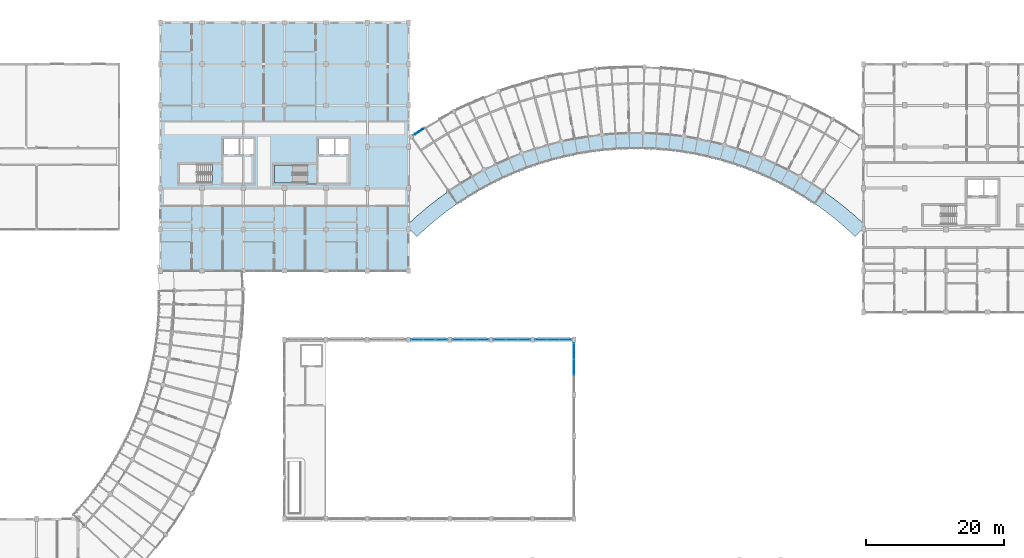
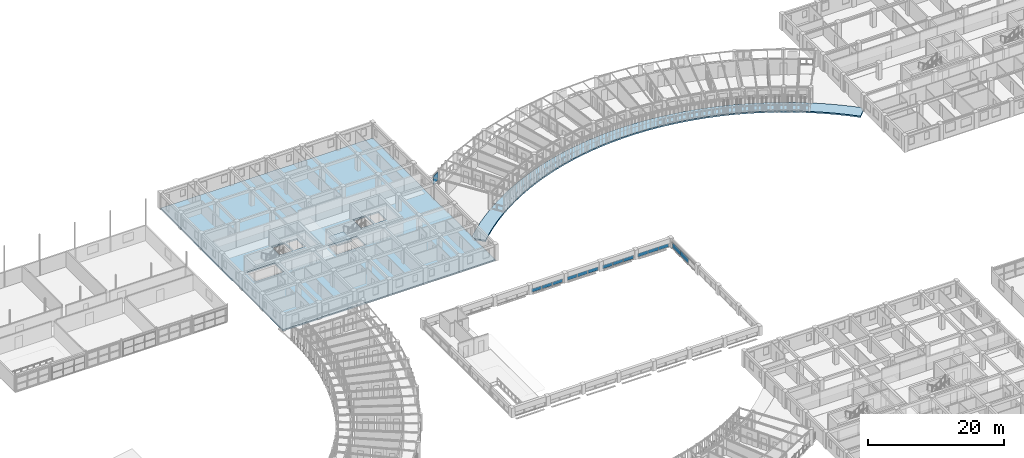
# One storey, part 80 of 137: 15 plates, 3 slabs, 6 elements without a shape of their own.
"""IFC4 building model written with IfcOpenShell, lengths in metres."""

from ifc_helpers import new_model, si_unit, direction, frame, origin, origin_2d, place, context, subcontext, project, spatial, polyline, rectangle, outline, extrude, material, layer, layer_set, type_object, element, aggregate, save


model = new_model("IFC4")

# Units and contexts
model_context = context("Model", 3, precision=1e-05, world=origin(), true_north=direction((0.0, 1.0)))
body_context = subcontext(model_context, "Body", "Model", "MODEL_VIEW")
ifc_project = project(units=[si_unit("LENGTHUNIT", "METRE"), si_unit("AREAUNIT", "SQUARE_METRE"), si_unit("VOLUMEUNIT", "CUBIC_METRE"), si_unit("PLANEANGLEUNIT", "RADIAN"), si_unit("MASSUNIT", "GRAM", prefix="KILO"), si_unit("POWERUNIT", "WATT"), si_unit("THERMODYNAMICTEMPERATUREUNIT", "KELVIN")], contexts=[model_context])

# Site, building, storey
site_placement = place(None, origin())
site = spatial("IfcSite", under=ifc_project, at=site_placement, CompositionType="ELEMENT")
building_placement = place(site_placement, origin())
building = spatial("IfcBuilding", under=site, at=building_placement, Name="Ruvembo Vaulted Housing Court", CompositionType="ELEMENT")
storey_placement = place(building_placement, frame((0.0, 0.0, 4.5)))
storey = spatial("IfcBuildingStorey", under=building, at=storey_placement, Name="L01", CompositionType="ELEMENT", Elevation=4.5)

# Curtain wall, plates
ifc_material_1 = material(Name="Anodised Aluminium and Solar-Control Glass", Category="aluminium")
ifc_layer_1 = layer(ifc_material_1, 0.139892578125, Name="Anodised Aluminium and Solar-Control Glass")
ifc_layer_set_1 = layer_set([ifc_layer_1], Name="Anodised Aluminium and Solar-Control Glass")
curtain_wall_type_1 = type_object("IfcCurtainWallType", Name="CW-HALL-CLER", PredefinedType="NOTDEFINED", material=ifc_layer_set_1)
curtain_wall_1_placement = place(storey_placement, origin())
curtain_wall_1 = element("IfcCurtainWall", 1, at=curtain_wall_1_placement, inside=storey, type_object=curtain_wall_type_1, Name="L01 Curtain Wall CW-L01-0102", PredefinedType="NOTDEFINED")
ifc_material_2 = material(Name="Solar-Control Laminated Insulating Glass", Category="glass")
ifc_layer_2 = layer(ifc_material_2, 0.035888671875, Name="Solar-Control Laminated Insulating Glass")
ifc_layer_set_2 = layer_set([ifc_layer_2], Name="Solar-Control Laminated Insulating Glass")
plate_type_1 = type_object("IfcPlateType", Name="CW-PANEL-ACOUST", PredefinedType="CURTAIN_PANEL", material=ifc_layer_set_2)
plate_1_placement = place(storey_placement, frame((85.23291015625, 68.0, 0.06005859375), z_axis=(0.0, 0.0, 1.0), x_axis=(1.0, 0.0, 0.0)))
plate_1 = element("IfcPlate", 2, at=plate_1_placement, type_object=plate_type_1, Name="CW7 panel 1.1", PredefinedType="CURTAIN_PANEL", context=body_context, shape_type="SweptSolid", body=[
    extrude(rectangle(XDim=1.685791015625, YDim=0.035888671875, at=origin_2d()), origin(), (0.0, 0.0, 1.0), 0.6298828125),
])
plate_2_placement = place(storey_placement, frame((87.0, 68.0, 0.06005859375), z_axis=(0.0, 0.0, 1.0), x_axis=(1.0, 0.0, 0.0)))
plate_2 = element("IfcPlate", 3, at=plate_2_placement, type_object=plate_type_1, Name="CW7 panel 2.1", PredefinedType="CURTAIN_PANEL", context=body_context, shape_type="SweptSolid", body=[
    extrude(rectangle(XDim=1.71826171875, YDim=0.035888671875, at=origin_2d()), origin(), (0.0, 0.0, 1.0), 0.6298828125),
])
plate_3_placement = place(storey_placement, frame((88.76708984375, 68.0, 0.06005859375), z_axis=(0.0, 0.0, 1.0), x_axis=(1.0, 0.0, 0.0)))
plate_3 = element("IfcPlate", 4, at=plate_3_placement, type_object=plate_type_1, Name="CW7 panel 3.1", PredefinedType="CURTAIN_PANEL", context=body_context, shape_type="SweptSolid", body=[
    extrude(rectangle(XDim=1.685791015625, YDim=0.035888671875, at=origin_2d()), origin(), (0.0, 0.0, 1.0), 0.6298828125),
])
aggregate(curtain_wall_1, [plate_1, plate_2, plate_3])

curtain_wall_2_placement = place(storey_placement, origin())
curtain_wall_2 = element("IfcCurtainWall", 5, at=curtain_wall_2_placement, inside=storey, type_object=curtain_wall_type_1, Name="L01 Curtain Wall CW-L01-0108", PredefinedType="NOTDEFINED")
plate_4_placement = place(storey_placement, frame((97.231689453125, 68.0, 0.06005859375), z_axis=(0.0, 0.0, 1.0), x_axis=(1.0, 0.0, 0.0)))
plate_4 = element("IfcPlate", 6, at=plate_4_placement, type_object=plate_type_1, Name="CW7 panel 1.1", PredefinedType="CURTAIN_PANEL", context=body_context, shape_type="SweptSolid", body=[
    extrude(rectangle(XDim=1.693359375, YDim=0.035888671875, at=origin_2d()), origin(), (0.0, 0.0, 1.0), 0.6298828125),
])
plate_5_placement = place(storey_placement, frame((99.0, 68.0, 0.06005859375), z_axis=(0.0, 0.0, 1.0), x_axis=(1.0, 0.0, 0.0)))
plate_5 = element("IfcPlate", 7, at=plate_5_placement, type_object=plate_type_1, Name="CW7 panel 2.1", PredefinedType="CURTAIN_PANEL", context=body_context, shape_type="SweptSolid", body=[
    extrude(rectangle(XDim=1.723388671875, YDim=0.035888671875, at=origin_2d()), origin(), (0.0, 0.0, 1.0), 0.6298828125),
])
plate_6_placement = place(storey_placement, frame((100.768310546875, 68.0, 0.06005859375), z_axis=(0.0, 0.0, 1.0), x_axis=(1.0, 0.0, 0.0)))
plate_6 = element("IfcPlate", 8, at=plate_6_placement, type_object=plate_type_1, Name="CW7 panel 3.1", PredefinedType="CURTAIN_PANEL", context=body_context, shape_type="SweptSolid", body=[
    extrude(rectangle(XDim=1.693359375, YDim=0.035888671875, at=origin_2d()), origin(), (0.0, 0.0, 1.0), 0.6298828125),
])
aggregate(curtain_wall_2, [plate_4, plate_5, plate_6])

ifc_layer_3 = layer(ifc_material_1, 0.179931640625, Name="Anodised Aluminium and Solar-Control Glass")
ifc_layer_set_3 = layer_set([ifc_layer_3], Name="Anodised Aluminium and Solar-Control Glass")
curtain_wall_type_2 = type_object("IfcCurtainWallType", Name="CW-HALL-TYMP", PredefinedType="NOTDEFINED", material=ifc_layer_set_3)
curtain_wall_3_placement = place(storey_placement, origin())
curtain_wall_3 = element("IfcCurtainWall", 9, at=curtain_wall_3_placement, inside=storey, type_object=curtain_wall_type_2, Name="L01 Curtain Wall CW-L01-0128", PredefinedType="NOTDEFINED")
ifc_layer_4 = layer(ifc_material_2, 0.028076171875, Name="Solar-Control Laminated Insulating Glass")
ifc_layer_set_4 = layer_set([ifc_layer_4], Name="Solar-Control Laminated Insulating Glass")
plate_type_2 = type_object("IfcPlateType", Name="CW-PANEL-GLAZED", PredefinedType="CURTAIN_PANEL", material=ifc_layer_set_4)
plate_7_placement = place(storey_placement, frame((108.0, 64.0, 0.06005859375), z_axis=(0.0, 0.0, 1.0), x_axis=(0.0, 1.0, 0.0)))
plate_7 = element("IfcPlate", 10, at=plate_7_placement, type_object=plate_type_2, Name="CW2 panel 2.1", PredefinedType="CURTAIN_PANEL", context=body_context, shape_type="SweptSolid", body=[
    extrude(rectangle(XDim=2.306640625, YDim=0.028076171875, at=origin_2d()), origin(), (0.0, 0.0, 1.0), 0.97998046875),
])
plate_8_placement = place(storey_placement, frame((108.0, 66.3515625, 0.06005859375), z_axis=(0.0, 0.0, 1.0), x_axis=(0.0, 1.0, 0.0)))
plate_8 = element("IfcPlate", 11, at=plate_8_placement, type_object=plate_type_2, Name="CW2 panel 3.1", PredefinedType="CURTAIN_PANEL", context=body_context, shape_type="SweptSolid", body=[
    extrude(rectangle(XDim=2.276611328125, YDim=0.028076171875, at=origin_2d()), origin(), (0.0, 0.0, 1.0), 0.97998046875),
])
aggregate(curtain_wall_3, [plate_7, plate_8])

curtain_wall_4_placement = place(storey_placement, origin())
curtain_wall_4 = element("IfcCurtainWall", 12, at=curtain_wall_4_placement, inside=storey, type_object=curtain_wall_type_1, Name="L01 Curtain Wall CW-L01-0106", PredefinedType="NOTDEFINED")
ifc_layer_5 = layer(ifc_material_2, 0.031982421875, Name="Solar-Control Laminated Insulating Glass")
ifc_layer_set_5 = layer_set([ifc_layer_5], Name="Solar-Control Laminated Insulating Glass")
plate_type_3 = type_object("IfcPlateType", Name="CW-PANEL-SOLAR", PredefinedType="CURTAIN_PANEL", material=ifc_layer_set_5)
plate_9_placement = place(storey_placement, frame((91.23291015625, 68.0, 0.06494140625), z_axis=(0.0, 0.0, 1.0), x_axis=(1.0, 0.0, 0.0)))
plate_9 = element("IfcPlate", 13, at=plate_9_placement, type_object=plate_type_3, Name="CW7 panel 1.1", PredefinedType="CURTAIN_PANEL", context=body_context, shape_type="SweptSolid", body=[
    extrude(rectangle(XDim=1.685791015625, YDim=0.031982421875, at=origin_2d()), origin(), (0.0, 0.0, 1.0), 0.6201171875),
])
plate_10_placement = place(storey_placement, frame((93.0, 68.0, 0.06494140625), z_axis=(0.0, 0.0, 1.0), x_axis=(1.0, 0.0, 0.0)))
plate_10 = element("IfcPlate", 14, at=plate_10_placement, type_object=plate_type_3, Name="CW7 panel 2.1", PredefinedType="CURTAIN_PANEL", context=body_context, shape_type="SweptSolid", body=[
    extrude(rectangle(XDim=1.71826171875, YDim=0.031982421875, at=origin_2d()), origin(), (0.0, 0.0, 1.0), 0.6201171875),
])
plate_11_placement = place(storey_placement, frame((94.76708984375, 68.0, 0.06494140625), z_axis=(0.0, 0.0, 1.0), x_axis=(1.0, 0.0, 0.0)))
plate_11 = element("IfcPlate", 15, at=plate_11_placement, type_object=plate_type_3, Name="CW7 panel 3.1", PredefinedType="CURTAIN_PANEL", context=body_context, shape_type="SweptSolid", body=[
    extrude(rectangle(XDim=1.685791015625, YDim=0.031982421875, at=origin_2d()), origin(), (0.0, 0.0, 1.0), 0.6201171875),
])
aggregate(curtain_wall_4, [plate_9, plate_10, plate_11])

curtain_wall_5_placement = place(storey_placement, origin())
curtain_wall_5 = element("IfcCurtainWall", 16, at=curtain_wall_5_placement, inside=storey, type_object=curtain_wall_type_1, Name="L01 Curtain Wall CW-L01-0112", PredefinedType="NOTDEFINED")
plate_12_placement = place(storey_placement, frame((103.231689453125, 68.0, 0.06494140625), z_axis=(0.0, 0.0, 1.0), x_axis=(1.0, 0.0, 0.0)))
plate_12 = element("IfcPlate", 17, at=plate_12_placement, type_object=plate_type_3, Name="CW7 panel 1.1", PredefinedType="CURTAIN_PANEL", context=body_context, shape_type="SweptSolid", body=[
    extrude(rectangle(XDim=1.693359375, YDim=0.031982421875, at=origin_2d()), origin(), (0.0, 0.0, 1.0), 0.6201171875),
])
plate_13_placement = place(storey_placement, frame((105.0, 68.0, 0.06494140625), z_axis=(0.0, 0.0, 1.0), x_axis=(1.0, 0.0, 0.0)))
plate_13 = element("IfcPlate", 18, at=plate_13_placement, type_object=plate_type_3, Name="CW7 panel 2.1", PredefinedType="CURTAIN_PANEL", context=body_context, shape_type="SweptSolid", body=[
    extrude(rectangle(XDim=1.723388671875, YDim=0.031982421875, at=origin_2d()), origin(), (0.0, 0.0, 1.0), 0.6201171875),
])
plate_14_placement = place(storey_placement, frame((106.768310546875, 68.0, 0.06494140625), z_axis=(0.0, 0.0, 1.0), x_axis=(1.0, 0.0, 0.0)))
plate_14 = element("IfcPlate", 19, at=plate_14_placement, type_object=plate_type_3, Name="CW7 panel 3.1", PredefinedType="CURTAIN_PANEL", context=body_context, shape_type="SweptSolid", body=[
    extrude(rectangle(XDim=1.693359375, YDim=0.031982421875, at=origin_2d()), origin(), (0.0, 0.0, 1.0), 0.6201171875),
])
aggregate(curtain_wall_5, [plate_12, plate_13, plate_14])

# Plate
ifc_material_3 = material(Name="Perforated Glazed Ceramic Cobogo Block", Category="ceramic")
ifc_layer_6 = layer(ifc_material_3, 0.1201171875, Name="Perforated Glazed Ceramic Cobogo Block")
ifc_layer_set_6 = layer_set([ifc_layer_6], Name="Perforated Glazed Ceramic Cobogo Block")
plate_type_4 = type_object("IfcPlateType", Name="PL-COBOGO-120", PredefinedType="USERDEFINED", material=ifc_layer_set_6)
plate_15_placement = place(storey_placement, frame((85.5107421875, 98.216064453125, 1.1201171875), z_axis=(0.0, 0.0, 1.0), x_axis=(0.83583610699, 0.548979054474, 0.0)))
element("IfcPlate", 20, at=plate_15_placement, inside=storey, type_object=plate_type_4, Name="Scoop SC3 L01 Ceramic Cobogo Screen #71", ObjectType="COBOGO_PANEL", PredefinedType="USERDEFINED", context=body_context, shape_type="SweptSolid", body=[
    extrude(rectangle(XDim=1.39990234375, YDim=0.1201171875, at=origin_2d()), origin(), (0.0, 0.0, 1.0), 1.360107421875),
])

# Slab
ifc_material_4 = material(Name="Concrete C30/37", Category="concrete")
ifc_layer_7 = layer(ifc_material_4, 0.27001953125, Name="Concrete C30/37")
ifc_layer_set_7 = layer_set([ifc_layer_7], Name="Concrete C30/37")
slab_type_1 = type_object("IfcSlabType", Name="SL-FLR-270", PredefinedType="FLOOR", material=ifc_layer_set_7)
slab_1_placement = place(storey_placement, frame((0.0, 0.0, -0.27001953125)))
element("IfcSlab", 21, at=slab_1_placement, inside=storey, type_object=slab_type_1, Name="Block B L01 Structural Floor Slab", PredefinedType="FLOOR", context=body_context, shape_type="SweptSolid", body=[
    extrude(outline(polyline([(84.0, 78.0), (84.0, 114.0), (48.0, 114.0), (48.0, 78.0), (84.0, 78.0)]), holes=[polyline([(55.5, 93.449951171875), (50.75, 93.449951171875), (50.75, 90.75), (55.5, 90.75), (55.5, 93.449951171875)]), polyline([(57.14990234375, 94.85009765625), (59.35009765625, 94.85009765625), (59.35009765625, 97.25), (57.14990234375, 97.25), (57.14990234375, 94.85009765625)]), polyline([(59.60009765625, 94.85009765625), (61.449951171875, 94.85009765625), (61.449951171875, 97.25), (59.60009765625, 97.25), (59.60009765625, 94.85009765625)]), polyline([(69.35009765625, 93.35009765625), (64.550048828125, 93.35009765625), (64.550048828125, 90.75), (69.35009765625, 90.75), (69.35009765625, 93.35009765625)]), polyline([(70.949951171875, 94.85009765625), (73.14990234375, 94.85009765625), (73.14990234375, 97.25), (70.949951171875, 97.25), (70.949951171875, 94.85009765625)]), polyline([(73.39990234375, 94.85009765625), (75.25, 94.85009765625), (75.25, 97.25), (73.39990234375, 97.25), (73.39990234375, 94.85009765625)])]), origin(), (0.0, 0.0, 1.0), 0.27001953125),
])

# Stair, slab
ifc_material_5 = material(Name="Concrete C35/45", Category="concrete")
stair_type = type_object("IfcStairType", Name="STR-CORE-1200", PredefinedType="HALF_TURN_STAIR", material=ifc_material_5)
stair_placement = place(storey_placement, origin())
stair = element("IfcStair", 22, at=stair_placement, inside=storey, type_object=stair_type, Name="L01 Protected Exit Stair ST-B2", PredefinedType="HALF_TURN_STAIR")
ifc_layer_8 = layer(ifc_material_4, 0.201904296875, Name="Concrete C30/37")
ifc_layer_set_8 = layer_set([ifc_layer_8], Name="Concrete C30/37")
slab_type_2 = type_object("IfcSlabType", Name="SL-LAND-202", PredefinedType="LANDING", material=ifc_layer_set_8)
slab_2_placement = place(storey_placement, frame((0.0, 0.0, 1.39990234375)))
slab_2 = element("IfcSlab", 23, at=slab_2_placement, type_object=slab_type_2, Name="ST-B2 landing 1", PredefinedType="LANDING", context=body_context, shape_type="SweptSolid", body=[
    extrude(outline(polyline([(67.110107421875, 93.35009765625), (64.550048828125, 93.35009765625), (64.550048828125, 90.75), (67.110107421875, 90.75), (67.110107421875, 93.35009765625)])), origin(), (0.0, 0.0, 1.0), 0.2001953125),
])
aggregate(stair, [slab_2])

# Slab
ifc_layer_9 = layer(ifc_material_5, 0.251953125, Name="Concrete C35/45")
ifc_layer_set_9 = layer_set([ifc_layer_9], Name="Concrete C35/45")
slab_type_3 = type_object("IfcSlabType", Name="SL-SCOOP-252", PredefinedType="FLOOR", material=ifc_layer_set_9)
slab_3_placement = place(storey_placement, frame((0.0, 0.0, -0.251953125)))
element("IfcSlab", 24, at=slab_3_placement, inside=storey, type_object=slab_type_3, Name="Scoop SC3 L01 Continuous Curved Balcony Slab", PredefinedType="FLOOR", context=body_context, shape_type="SweptSolid", body=[
    extrude(outline(polyline([(150.0, 84.172607421875), (150.0, 84.8466796875), (148.882080078125, 85.88232421875), (147.365478515625, 87.17431640625), (145.796630859375, 88.402587890625), (144.17822265625, 89.564453125), (142.512939453125, 90.658203125), (140.8037109375, 91.681884765625), (139.053466796875, 92.6337890625), (137.26513671875, 93.51220703125), (135.44189453125, 94.31591796875), (133.587158203125, 95.04296875), (131.70361328125, 95.6923828125), (129.794677734375, 96.26318359375), (127.86376953125, 96.75439453125), (125.914306640625, 97.1650390625), (123.94921875, 97.494384765625), (121.972412109375, 97.74169921875), (119.98681640625, 97.906982421875), (117.99609375, 97.98974609375), (116.00390625, 97.98974609375), (114.01318359375, 97.906982421875), (112.027587890625, 97.74169921875), (110.05078125, 97.494384765625), (108.085693359375, 97.1650390625), (106.13623046875, 96.75439453125), (104.205322265625, 96.26318359375), (102.29638671875, 95.6923828125), (100.412841796875, 95.04296875), (98.55810546875, 94.31591796875), (96.73486328125, 93.51220703125), (94.946533203125, 92.6337890625), (93.1962890625, 91.681884765625), (91.487060546875, 90.658203125), (89.82177734375, 89.564453125), (88.203369140625, 88.402587890625), (86.634521484375, 87.17431640625), (85.117919921875, 85.88232421875), (84.0, 84.8466796875), (84.0, 84.172607421875), (85.1845703125, 82.94580078125), (86.579345703125, 84.23779296875), (88.0263671875, 85.470703125), (89.523193359375, 86.642333984375), (91.0673828125, 87.751220703125), (92.656494140625, 88.794677734375), (94.287353515625, 89.771484375), (95.95751953125, 90.6796875), (97.663818359375, 91.51806640625), (99.4033203125, 92.28466796875), (101.173095703125, 92.978515625), (102.970458984375, 93.598388671875), (104.791748046875, 94.142822265625), (106.634033203125, 94.611572265625), (108.494384765625, 95.00341796875), (110.369140625, 95.3173828125), (112.255615234375, 95.5537109375), (114.150146484375, 95.711181640625), (116.049560546875, 95.7900390625), (117.950439453125, 95.7900390625), (119.849853515625, 95.711181640625), (121.744384765625, 95.5537109375), (123.630859375, 95.3173828125), (125.505615234375, 95.00341796875), (127.365966796875, 94.611572265625), (129.208251953125, 94.142822265625), (131.029541015625, 93.598388671875), (132.826904296875, 92.978515625), (134.5966796875, 92.28466796875), (136.336181640625, 91.51806640625), (138.04248046875, 90.6796875), (139.712646484375, 89.771484375), (141.343505859375, 88.794677734375), (142.9326171875, 87.751220703125), (144.476806640625, 86.642333984375), (145.9736328125, 85.470703125), (147.420654296875, 84.23779296875), (148.8154296875, 82.94580078125), (150.0, 84.172607421875)])), origin(), (0.0, 0.0, 1.0), 0.251953125),
])

save(model, "model.ifc")
